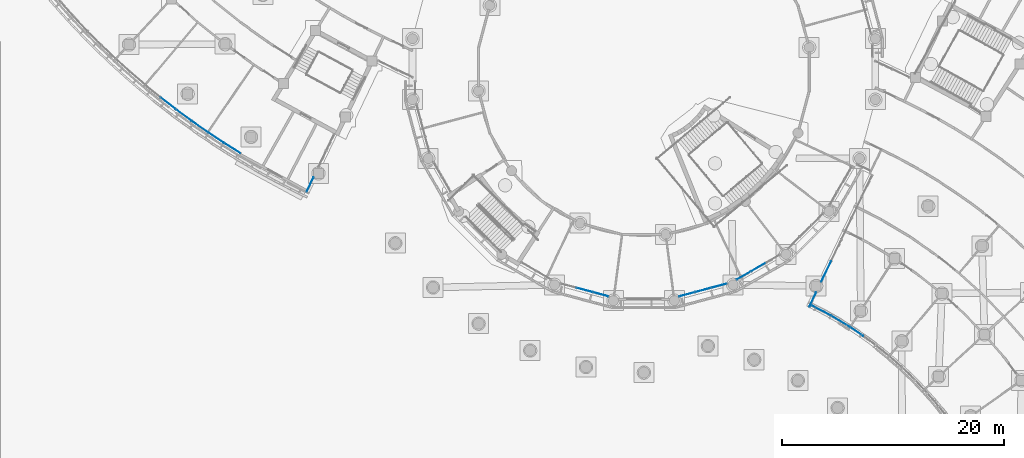
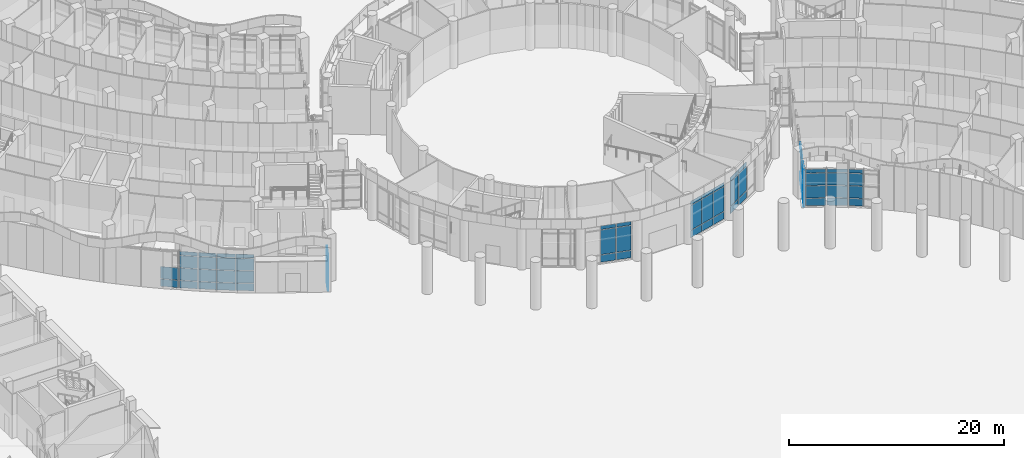
# One storey, part 40 of 146: 63 plates, 10 elements without a shape of their own.
"""IFC4 building model written with IfcOpenShell, lengths in metres."""

from ifc_helpers import new_model, si_unit, direction, frame, origin, origin_2d, place, context, subcontext, project, spatial, rectangle, extrude, material, layer, layer_set, type_object, element, aggregate, save


model = new_model("IFC4")

# Units and contexts
model_context = context("Model", 3, precision=1e-05, world=origin(), true_north=direction((0.0, 1.0)))
body_context = subcontext(model_context, "Body", "Model", "MODEL_VIEW")
ifc_project = project(units=[si_unit("LENGTHUNIT", "METRE"), si_unit("AREAUNIT", "SQUARE_METRE"), si_unit("VOLUMEUNIT", "CUBIC_METRE"), si_unit("PLANEANGLEUNIT", "RADIAN"), si_unit("MASSUNIT", "GRAM", prefix="KILO")], contexts=[model_context])

# Site, building, storey
site_placement = place(None, origin())
site = spatial("IfcSite", under=ifc_project, at=site_placement, CompositionType="ELEMENT")
building_placement = place(site_placement, origin())
building = spatial("IfcBuilding", under=site, at=building_placement, Name="Bougainvillea Quay General Hospital", CompositionType="ELEMENT")
storey_placement = place(building_placement, origin())
storey = spatial("IfcBuildingStorey", under=building, at=storey_placement, Name="L00", CompositionType="ELEMENT", Elevation=0.0)

# Curtain wall, plates
ifc_material_1 = material(Name="Aluminium curtain wall system, powder-coated glazed", Category="aluminium")
curtain_wall_type_1 = type_object("IfcCurtainWallType", Name="Unitised curtain wall CW-2100", PredefinedType="NOTDEFINED", material=ifc_material_1)
curtain_wall_1_placement = place(storey_placement, origin())
curtain_wall_1 = element("IfcCurtainWall", 1, at=curtain_wall_1_placement, inside=storey, type_object=curtain_wall_type_1, Name="CW-W02 a01b1", PredefinedType="NOTDEFINED")
ifc_material_2 = material(Name="Insulated aluminium spandrel panel, white", Category="aluminium")
ifc_layer_1 = layer(ifc_material_2, 0.028076171875)
ifc_layer_set_1 = layer_set([ifc_layer_1], Name="Insulated aluminium spandrel panel, white")
plate_type_1 = type_object("IfcPlateType", Name="Insulated spandrel panel white 28", PredefinedType="CURTAIN_PANEL", material=ifc_layer_set_1)
plate_1_placement = place(storey_placement, frame((72.188720703125, 66.88623046875, 0.06005859375), z_axis=(0.0, 0.0, 1.0), x_axis=(-0.847691824545, 0.530488991968, 0.0)))
plate_1 = element("IfcPlate", 2, at=plate_1_placement, type_object=plate_type_1, Name="CW-W02 spandrel panel 1.1", PredefinedType="CURTAIN_PANEL", context=body_context, shape_type="SweptSolid", body=[
    extrude(rectangle(XDim=1.6787109375, YDim=0.028076171875, at=origin_2d()), origin(), (0.0, 0.0, 1.0), 0.81005859375),
])
plate_2_placement = place(storey_placement, frame((72.188720703125, 66.88623046875, 3.7802734375), z_axis=(0.0, 0.0, 1.0), x_axis=(-0.847691824545, 0.530488991968, 0.0)))
plate_2 = element("IfcPlate", 3, at=plate_2_placement, type_object=plate_type_1, Name="CW-W02 spandrel panel 1.4", PredefinedType="CURTAIN_PANEL", context=body_context, shape_type="SweptSolid", body=[
    extrude(rectangle(XDim=1.6787109375, YDim=0.028076171875, at=origin_2d()), origin(), (0.0, 0.0, 1.0), 0.409912109375),
])
plate_3_placement = place(storey_placement, frame((70.714111328125, 67.83544921875, 0.06005859375), z_axis=(0.0, 0.0, 1.0), x_axis=(-0.833967694391, 0.551813269787, 0.0)))
plate_3 = element("IfcPlate", 4, at=plate_3_placement, type_object=plate_type_1, Name="CW-W02 spandrel panel 2.1", PredefinedType="CURTAIN_PANEL", context=body_context, shape_type="SweptSolid", body=[
    extrude(rectangle(XDim=1.708740234375, YDim=0.028076171875, at=origin_2d()), origin(), (0.0, 0.0, 1.0), 0.81005859375),
])
plate_4_placement = place(storey_placement, frame((70.714111328125, 67.83544921875, 3.7802734375), z_axis=(0.0, 0.0, 1.0), x_axis=(-0.833967694391, 0.551813269787, 0.0)))
plate_4 = element("IfcPlate", 5, at=plate_4_placement, type_object=plate_type_1, Name="CW-W02 spandrel panel 2.4", PredefinedType="CURTAIN_PANEL", context=body_context, shape_type="SweptSolid", body=[
    extrude(rectangle(XDim=1.708740234375, YDim=0.028076171875, at=origin_2d()), origin(), (0.0, 0.0, 1.0), 0.409912109375),
])
plate_5_placement = place(storey_placement, frame((69.251708984375, 68.830078125, 0.06005859375), z_axis=(0.0, 0.0, 1.0), x_axis=(-0.819707259149, 0.572782689419, 0.0)))
plate_5 = element("IfcPlate", 6, at=plate_5_placement, type_object=plate_type_1, Name="CW-W02 spandrel panel 3.1", PredefinedType="CURTAIN_PANEL", context=body_context, shape_type="SweptSolid", body=[
    extrude(rectangle(XDim=1.708740234375, YDim=0.028076171875, at=origin_2d()), origin(), (0.0, 0.0, 1.0), 0.81005859375),
])
plate_6_placement = place(storey_placement, frame((69.251708984375, 68.830078125, 3.7802734375), z_axis=(0.0, 0.0, 1.0), x_axis=(-0.819707259149, 0.572782689419, 0.0)))
plate_6 = element("IfcPlate", 7, at=plate_6_placement, type_object=plate_type_1, Name="CW-W02 spandrel panel 3.4", PredefinedType="CURTAIN_PANEL", context=body_context, shape_type="SweptSolid", body=[
    extrude(rectangle(XDim=1.708740234375, YDim=0.028076171875, at=origin_2d()), origin(), (0.0, 0.0, 1.0), 0.409912109375),
])
plate_7_placement = place(storey_placement, frame((67.826904296875, 69.8525390625, 0.06005859375), z_axis=(0.0, 0.0, 1.0), x_axis=(-0.804919689373, 0.593383765922, 0.0)))
plate_7 = element("IfcPlate", 8, at=plate_7_placement, type_object=plate_type_1, Name="CW-W02 spandrel panel 4.1", PredefinedType="CURTAIN_PANEL", context=body_context, shape_type="SweptSolid", body=[
    extrude(rectangle(XDim=1.6787109375, YDim=0.028076171875, at=origin_2d()), origin(), (0.0, 0.0, 1.0), 0.81005859375),
])
plate_8_placement = place(storey_placement, frame((67.826904296875, 69.8525390625, 3.7802734375), z_axis=(0.0, 0.0, 1.0), x_axis=(-0.804919689373, 0.593383765922, 0.0)))
plate_8 = element("IfcPlate", 9, at=plate_8_placement, type_object=plate_type_1, Name="CW-W02 spandrel panel 4.4", PredefinedType="CURTAIN_PANEL", context=body_context, shape_type="SweptSolid", body=[
    extrude(rectangle(XDim=1.6787109375, YDim=0.028076171875, at=origin_2d()), origin(), (0.0, 0.0, 1.0), 0.409912109375),
])

# Curtain wall, plate
curtain_wall_2_placement = place(storey_placement, origin())
curtain_wall_2 = element("IfcCurtainWall", 10, at=curtain_wall_2_placement, inside=storey, type_object=curtain_wall_type_1, Name="CW-W03 a01b2", PredefinedType="NOTDEFINED")
plate_9_placement = place(storey_placement, frame((66.392822265625, 70.93798828125, 0.06005859375), z_axis=(0.0, 0.0, 1.0), x_axis=(-0.789614494602, 0.613603251226, 0.0)))
plate_9 = element("IfcPlate", 11, at=plate_9_placement, type_object=plate_type_1, Name="CW-W03 spandrel panel 1.1", PredefinedType="CURTAIN_PANEL", context=body_context, shape_type="SweptSolid", body=[
    extrude(rectangle(XDim=1.6787109375, YDim=0.028076171875, at=origin_2d()), origin(), (0.0, 0.0, 1.0), 0.81005859375),
])

# Curtain wall, plates
curtain_wall_type_2 = type_object("IfcCurtainWallType", Name="Unitised curtain wall CW-1530", PredefinedType="NOTDEFINED", material=ifc_material_1)
curtain_wall_3_placement = place(storey_placement, origin())
curtain_wall_3 = element("IfcCurtainWall", 12, at=curtain_wall_3_placement, inside=storey, type_object=curtain_wall_type_2, Name="CW-AE 00", PredefinedType="NOTDEFINED")
plate_10_placement = place(storey_placement, frame((79.167724609375, 63.616943359375, 0.06005859375), z_axis=(0.0, 0.0, 1.0), x_axis=(0.430530445105, 0.902576055431, 0.0)))
plate_10 = element("IfcPlate", 13, at=plate_10_placement, type_object=plate_type_1, Name="CW-AE spandrel panel 1.1", PredefinedType="CURTAIN_PANEL", context=body_context, shape_type="SweptSolid", body=[
    extrude(rectangle(XDim=1.409912109375, YDim=0.028076171875, at=origin_2d()), origin(), (0.0, 0.0, 1.0), 0.81005859375),
])
plate_11_placement = place(storey_placement, frame((79.167724609375, 63.616943359375, 3.7802734375), z_axis=(0.0, 0.0, 1.0), x_axis=(0.430530445105, 0.902576055431, 0.0)))
plate_11 = element("IfcPlate", 14, at=plate_11_placement, type_object=plate_type_1, Name="CW-AE spandrel panel 1.4", PredefinedType="CURTAIN_PANEL", context=body_context, shape_type="SweptSolid", body=[
    extrude(rectangle(XDim=1.409912109375, YDim=0.028076171875, at=origin_2d()), origin(), (0.0, 0.0, 1.0), 0.409912109375),
])

curtain_wall_type_3 = type_object("IfcCurtainWallType", Name="Unitised curtain wall CW-2147", PredefinedType="NOTDEFINED", material=ifc_material_1)
curtain_wall_4_placement = place(storey_placement, origin())
curtain_wall_4 = element("IfcCurtainWall", 15, at=curtain_wall_4_placement, inside=storey, type_object=curtain_wall_type_3, Name="CW-AE 00", PredefinedType="NOTDEFINED")
plate_12_placement = place(storey_placement, frame((125.594482421875, 55.79150390625, 0.06005859375), z_axis=(0.0, 0.0, 1.0), x_axis=(-0.430530445105, -0.902576055431, 0.0)))
plate_12 = element("IfcPlate", 16, at=plate_12_placement, type_object=plate_type_1, Name="CW-AE spandrel panel 5.1", PredefinedType="CURTAIN_PANEL", context=body_context, shape_type="SweptSolid", body=[
    extrude(rectangle(XDim=2.05615234375, YDim=0.028076171875, at=origin_2d()), origin(), (0.0, 0.0, 1.0), 0.81005859375),
])
plate_13_placement = place(storey_placement, frame((125.594482421875, 55.79150390625, 3.7802734375), z_axis=(0.0, 0.0, 1.0), x_axis=(-0.430530445105, -0.902576055431, 0.0)))
plate_13 = element("IfcPlate", 17, at=plate_13_placement, type_object=plate_type_1, Name="CW-AE spandrel panel 5.4", PredefinedType="CURTAIN_PANEL", context=body_context, shape_type="SweptSolid", body=[
    extrude(rectangle(XDim=2.05615234375, YDim=0.028076171875, at=origin_2d()), origin(), (0.0, 0.0, 1.0), 0.409912109375),
])

curtain_wall_5_placement = place(storey_placement, origin())
curtain_wall_5 = element("IfcCurtainWall", 18, at=curtain_wall_5_placement, inside=storey, type_object=curtain_wall_type_2, Name="CW-AE 01", PredefinedType="NOTDEFINED")
plate_14_placement = place(storey_placement, frame((124.391845703125, 53.270751953125, 0.06005859375), z_axis=(0.0, 0.0, 1.0), x_axis=(-0.430530445105, -0.902576055431, 0.0)))
plate_14 = element("IfcPlate", 19, at=plate_14_placement, type_object=plate_type_1, Name="CW-AE spandrel panel 1.1", PredefinedType="CURTAIN_PANEL", context=body_context, shape_type="SweptSolid", body=[
    extrude(rectangle(XDim=1.409912109375, YDim=0.028076171875, at=origin_2d()), origin(), (0.0, 0.0, 1.0), 0.81005859375),
])
plate_15_placement = place(storey_placement, frame((124.391845703125, 53.270751953125, 3.7802734375), z_axis=(0.0, 0.0, 1.0), x_axis=(-0.430530445105, -0.902576055431, 0.0)))
plate_15 = element("IfcPlate", 20, at=plate_15_placement, type_object=plate_type_1, Name="CW-AE spandrel panel 1.4", PredefinedType="CURTAIN_PANEL", context=body_context, shape_type="SweptSolid", body=[
    extrude(rectangle(XDim=1.409912109375, YDim=0.028076171875, at=origin_2d()), origin(), (0.0, 0.0, 1.0), 0.409912109375),
])

curtain_wall_6_placement = place(storey_placement, origin())
curtain_wall_6 = element("IfcCurtainWall", 21, at=curtain_wall_6_placement, inside=storey, type_object=curtain_wall_type_1, Name="CW-E01 a21b0", PredefinedType="NOTDEFINED")
plate_16_placement = place(storey_placement, frame((125.157470703125, 52.28857421875, 0.06005859375), z_axis=(0.0, 0.0, 1.0), x_axis=(0.884928841116, -0.46572625668, 0.0)))
plate_16 = element("IfcPlate", 22, at=plate_16_placement, type_object=plate_type_1, Name="CW-E01 spandrel panel 1.1", PredefinedType="CURTAIN_PANEL", context=body_context, shape_type="SweptSolid", body=[
    extrude(rectangle(XDim=1.924072265625, YDim=0.028076171875, at=origin_2d()), origin(), (0.0, 0.0, 1.0), 0.81005859375),
])
plate_17_placement = place(storey_placement, frame((125.157470703125, 52.28857421875, 3.7802734375), z_axis=(0.0, 0.0, 1.0), x_axis=(0.884928841116, -0.46572625668, 0.0)))
plate_17 = element("IfcPlate", 23, at=plate_17_placement, type_object=plate_type_1, Name="CW-E01 spandrel panel 1.4", PredefinedType="CURTAIN_PANEL", context=body_context, shape_type="SweptSolid", body=[
    extrude(rectangle(XDim=1.924072265625, YDim=0.028076171875, at=origin_2d()), origin(), (0.0, 0.0, 1.0), 0.409912109375),
])
plate_18_placement = place(storey_placement, frame((126.884521484375, 51.313720703125, 0.06005859375), z_axis=(0.0, 0.0, 1.0), x_axis=(0.856022874409, -0.516937944525, 0.0)))
plate_18 = element("IfcPlate", 24, at=plate_18_placement, type_object=plate_type_1, Name="CW-E01 spandrel panel 2.1", PredefinedType="CURTAIN_PANEL", context=body_context, shape_type="SweptSolid", body=[
    extrude(rectangle(XDim=1.924072265625, YDim=0.028076171875, at=origin_2d()), origin(), (0.0, 0.0, 1.0), 0.81005859375),
])
plate_19_placement = place(storey_placement, frame((126.884521484375, 51.313720703125, 3.7802734375), z_axis=(0.0, 0.0, 1.0), x_axis=(0.856022874409, -0.516937944525, 0.0)))
plate_19 = element("IfcPlate", 25, at=plate_19_placement, type_object=plate_type_1, Name="CW-E01 spandrel panel 2.4", PredefinedType="CURTAIN_PANEL", context=body_context, shape_type="SweptSolid", body=[
    extrude(rectangle(XDim=1.924072265625, YDim=0.028076171875, at=origin_2d()), origin(), (0.0, 0.0, 1.0), 0.409912109375),
])

curtain_wall_7_placement = place(storey_placement, origin())
curtain_wall_7 = element("IfcCurtainWall", 26, at=curtain_wall_7_placement, inside=storey, type_object=curtain_wall_type_1, Name="CW-E02 a21b1", PredefinedType="NOTDEFINED")
plate_20_placement = place(storey_placement, frame((128.37548828125, 50.369384765625, 0.06005859375), z_axis=(0.0, 0.0, 1.0), x_axis=(0.828738154592, -0.559636552705, 0.0)))
plate_20 = element("IfcPlate", 27, at=plate_20_placement, type_object=plate_type_1, Name="CW-E02 spandrel panel 1.1", PredefinedType="CURTAIN_PANEL", context=body_context, shape_type="SweptSolid", body=[
    extrude(rectangle(XDim=1.366943359375, YDim=0.028076171875, at=origin_2d()), origin(), (0.0, 0.0, 1.0), 0.81005859375),
])
plate_21_placement = place(storey_placement, frame((128.37548828125, 50.369384765625, 3.7802734375), z_axis=(0.0, 0.0, 1.0), x_axis=(0.828738154592, -0.559636552705, 0.0)))
plate_21 = element("IfcPlate", 28, at=plate_21_placement, type_object=plate_type_1, Name="CW-E02 spandrel panel 1.4", PredefinedType="CURTAIN_PANEL", context=body_context, shape_type="SweptSolid", body=[
    extrude(rectangle(XDim=1.366943359375, YDim=0.028076171875, at=origin_2d()), origin(), (0.0, 0.0, 1.0), 0.409912109375),
])

curtain_wall_type_4 = type_object("IfcCurtainWallType", Name="Unitised curtain wall CW-1514", PredefinedType="NOTDEFINED", material=ifc_material_1)
curtain_wall_8_placement = place(storey_placement, origin())
curtain_wall_8 = element("IfcCurtainWall", 29, at=curtain_wall_8_placement, inside=storey, type_object=curtain_wall_type_4, Name="CW-D 00", PredefinedType="NOTDEFINED")
plate_22_placement = place(storey_placement, frame((103.876220703125, 54.130859375, 0.06005859375), z_axis=(0.0, 0.0, 1.0), x_axis=(0.965916292974, -0.258854621298, 0.0)))
plate_22 = element("IfcPlate", 30, at=plate_22_placement, type_object=plate_type_1, Name="CW-D spandrel panel 2.1", PredefinedType="CURTAIN_PANEL", context=body_context, shape_type="SweptSolid", body=[
    extrude(rectangle(XDim=1.453857421875, YDim=0.028076171875, at=origin_2d()), origin(), (0.0, 0.0, 1.0), 0.81005859375),
])
plate_23_placement = place(storey_placement, frame((103.876220703125, 54.130859375, 3.7802734375), z_axis=(0.0, 0.0, 1.0), x_axis=(0.965916292974, -0.258854621298, 0.0)))
plate_23 = element("IfcPlate", 31, at=plate_23_placement, type_object=plate_type_1, Name="CW-D spandrel panel 2.3", PredefinedType="CURTAIN_PANEL", context=body_context, shape_type="SweptSolid", body=[
    extrude(rectangle(XDim=1.453857421875, YDim=0.028076171875, at=origin_2d()), origin(), (0.0, 0.0, 1.0), 0.409912109375),
])
plate_24_placement = place(storey_placement, frame((105.323974609375, 53.742919921875, 0.06005859375), z_axis=(0.0, 0.0, 1.0), x_axis=(0.965916292974, -0.258854621298, 0.0)))
plate_24 = element("IfcPlate", 32, at=plate_24_placement, type_object=plate_type_1, Name="CW-D spandrel panel 3.1", PredefinedType="CURTAIN_PANEL", context=body_context, shape_type="SweptSolid", body=[
    extrude(rectangle(XDim=1.423828125, YDim=0.028076171875, at=origin_2d()), origin(), (0.0, 0.0, 1.0), 0.81005859375),
])
plate_25_placement = place(storey_placement, frame((105.323974609375, 53.742919921875, 3.7802734375), z_axis=(0.0, 0.0, 1.0), x_axis=(0.965916292974, -0.258854621298, 0.0)))
plate_25 = element("IfcPlate", 33, at=plate_25_placement, type_object=plate_type_1, Name="CW-D spandrel panel 3.3", PredefinedType="CURTAIN_PANEL", context=body_context, shape_type="SweptSolid", body=[
    extrude(rectangle(XDim=1.423828125, YDim=0.028076171875, at=origin_2d()), origin(), (0.0, 0.0, 1.0), 0.409912109375),
])

curtain_wall_9_placement = place(storey_placement, origin())
curtain_wall_9 = element("IfcCurtainWall", 34, at=curtain_wall_9_placement, inside=storey, type_object=curtain_wall_type_4, Name="CW-D 00", PredefinedType="NOTDEFINED")
plate_26_placement = place(storey_placement, frame((113.075927734375, 53.742919921875, 0.06005859375), z_axis=(0.0, 0.0, 1.0), x_axis=(0.965916292974, 0.258854621298, 0.0)))
plate_26 = element("IfcPlate", 35, at=plate_26_placement, type_object=plate_type_1, Name="CW-D spandrel panel 1.1", PredefinedType="CURTAIN_PANEL", context=body_context, shape_type="SweptSolid", body=[
    extrude(rectangle(XDim=1.423828125, YDim=0.028076171875, at=origin_2d()), origin(), (0.0, 0.0, 1.0), 0.81005859375),
])
plate_27_placement = place(storey_placement, frame((113.075927734375, 53.742919921875, 3.7802734375), z_axis=(0.0, 0.0, 1.0), x_axis=(0.965916292974, 0.258854621298, 0.0)))
plate_27 = element("IfcPlate", 36, at=plate_27_placement, type_object=plate_type_1, Name="CW-D spandrel panel 1.3", PredefinedType="CURTAIN_PANEL", context=body_context, shape_type="SweptSolid", body=[
    extrude(rectangle(XDim=1.423828125, YDim=0.028076171875, at=origin_2d()), origin(), (0.0, 0.0, 1.0), 0.409912109375),
])
plate_28_placement = place(storey_placement, frame((114.523681640625, 54.130859375, 0.06005859375), z_axis=(0.0, 0.0, 1.0), x_axis=(0.965916292974, 0.258854621298, 0.0)))
plate_28 = element("IfcPlate", 37, at=plate_28_placement, type_object=plate_type_1, Name="CW-D spandrel panel 2.1", PredefinedType="CURTAIN_PANEL", context=body_context, shape_type="SweptSolid", body=[
    extrude(rectangle(XDim=1.453857421875, YDim=0.028076171875, at=origin_2d()), origin(), (0.0, 0.0, 1.0), 0.81005859375),
])
plate_29_placement = place(storey_placement, frame((114.523681640625, 54.130859375, 3.7802734375), z_axis=(0.0, 0.0, 1.0), x_axis=(0.965916292974, 0.258854621298, 0.0)))
plate_29 = element("IfcPlate", 38, at=plate_29_placement, type_object=plate_type_1, Name="CW-D spandrel panel 2.3", PredefinedType="CURTAIN_PANEL", context=body_context, shape_type="SweptSolid", body=[
    extrude(rectangle(XDim=1.453857421875, YDim=0.028076171875, at=origin_2d()), origin(), (0.0, 0.0, 1.0), 0.409912109375),
])
plate_30_placement = place(storey_placement, frame((115.9716796875, 54.51904296875, 0.06005859375), z_axis=(0.0, 0.0, 1.0), x_axis=(0.965916292974, 0.258854621298, 0.0)))
plate_30 = element("IfcPlate", 39, at=plate_30_placement, type_object=plate_type_1, Name="CW-D spandrel panel 3.1", PredefinedType="CURTAIN_PANEL", context=body_context, shape_type="SweptSolid", body=[
    extrude(rectangle(XDim=1.423828125, YDim=0.028076171875, at=origin_2d()), origin(), (0.0, 0.0, 1.0), 0.81005859375),
])
plate_31_placement = place(storey_placement, frame((115.9716796875, 54.51904296875, 3.7802734375), z_axis=(0.0, 0.0, 1.0), x_axis=(0.965916292974, 0.258854621298, 0.0)))
plate_31 = element("IfcPlate", 40, at=plate_31_placement, type_object=plate_type_1, Name="CW-D spandrel panel 3.3", PredefinedType="CURTAIN_PANEL", context=body_context, shape_type="SweptSolid", body=[
    extrude(rectangle(XDim=1.423828125, YDim=0.028076171875, at=origin_2d()), origin(), (0.0, 0.0, 1.0), 0.409912109375),
])

curtain_wall_type_5 = type_object("IfcCurtainWallType", Name="Unitised curtain wall CW-1515", PredefinedType="NOTDEFINED", material=ifc_material_1)
curtain_wall_10_placement = place(storey_placement, origin())
curtain_wall_10 = element("IfcCurtainWall", 41, at=curtain_wall_10_placement, inside=storey, type_object=curtain_wall_type_5, Name="CW-D 00", PredefinedType="NOTDEFINED")
plate_32_placement = place(storey_placement, frame((118.186767578125, 55.4365234375, 0.06005859375), z_axis=(0.0, 0.0, 1.0), x_axis=(0.866045865692, 0.499964557262, 0.0)))
plate_32 = element("IfcPlate", 42, at=plate_32_placement, type_object=plate_type_1, Name="CW-D spandrel panel 1.1", PredefinedType="CURTAIN_PANEL", context=body_context, shape_type="SweptSolid", body=[
    extrude(rectangle(XDim=1.424072265625, YDim=0.028076171875, at=origin_2d()), origin(), (0.0, 0.0, 1.0), 0.81005859375),
])
plate_33_placement = place(storey_placement, frame((118.186767578125, 55.4365234375, 3.7802734375), z_axis=(0.0, 0.0, 1.0), x_axis=(0.866045865692, 0.499964557262, 0.0)))
plate_33 = element("IfcPlate", 43, at=plate_33_placement, type_object=plate_type_1, Name="CW-D spandrel panel 1.3", PredefinedType="CURTAIN_PANEL", context=body_context, shape_type="SweptSolid", body=[
    extrude(rectangle(XDim=1.424072265625, YDim=0.028076171875, at=origin_2d()), origin(), (0.0, 0.0, 1.0), 0.409912109375),
])
plate_34_placement = place(storey_placement, frame((119.485107421875, 56.18603515625, 0.06005859375), z_axis=(0.0, 0.0, 1.0), x_axis=(0.866045865692, 0.499964557262, 0.0)))
plate_34 = element("IfcPlate", 44, at=plate_34_placement, type_object=plate_type_1, Name="CW-D spandrel panel 2.1", PredefinedType="CURTAIN_PANEL", context=body_context, shape_type="SweptSolid", body=[
    extrude(rectangle(XDim=1.4541015625, YDim=0.028076171875, at=origin_2d()), origin(), (0.0, 0.0, 1.0), 0.81005859375),
])
plate_35_placement = place(storey_placement, frame((119.485107421875, 56.18603515625, 3.7802734375), z_axis=(0.0, 0.0, 1.0), x_axis=(0.866045865692, 0.499964557262, 0.0)))
plate_35 = element("IfcPlate", 45, at=plate_35_placement, type_object=plate_type_1, Name="CW-D spandrel panel 2.3", PredefinedType="CURTAIN_PANEL", context=body_context, shape_type="SweptSolid", body=[
    extrude(rectangle(XDim=1.4541015625, YDim=0.028076171875, at=origin_2d()), origin(), (0.0, 0.0, 1.0), 0.409912109375),
])

# Plate
ifc_material_3 = material(Name="Low-e laminated glass, solar control", Category="glass")
ifc_layer_2 = layer(ifc_material_3, 0.028076171875)
ifc_layer_set_2 = layer_set([ifc_layer_2], Name="Low-e laminated glass, solar control")
plate_type_2 = type_object("IfcPlateType", Name="Low-e laminated vision glass 28", PredefinedType="CURTAIN_PANEL", material=ifc_layer_set_2)
plate_36_placement = place(storey_placement, frame((72.188720703125, 66.88623046875, 0.93017578125), z_axis=(0.0, 0.0, 1.0), x_axis=(-0.847691824545, 0.530488991968, 0.0)))
plate_36 = element("IfcPlate", 46, at=plate_36_placement, type_object=plate_type_2, Name="CW-W02 vision glass panel 1.2", PredefinedType="CURTAIN_PANEL", context=body_context, shape_type="SweptSolid", body=[
    extrude(rectangle(XDim=1.6787109375, YDim=0.028076171875, at=origin_2d()), origin(), (0.0, 0.0, 1.0), 1.364990234375),
])

plate_37_placement = place(storey_placement, frame((72.188720703125, 66.88623046875, 2.35498046875), z_axis=(0.0, 0.0, 1.0), x_axis=(-0.847691824545, 0.530488991968, 0.0)))
plate_37 = element("IfcPlate", 47, at=plate_37_placement, type_object=plate_type_2, Name="CW-W02 vision glass panel 1.3", PredefinedType="CURTAIN_PANEL", context=body_context, shape_type="SweptSolid", body=[
    extrude(rectangle(XDim=1.6787109375, YDim=0.028076171875, at=origin_2d()), origin(), (0.0, 0.0, 1.0), 1.364990234375),
])

plate_38_placement = place(storey_placement, frame((70.714111328125, 67.83544921875, 0.93017578125), z_axis=(0.0, 0.0, 1.0), x_axis=(-0.833967694391, 0.551813269787, 0.0)))
plate_38 = element("IfcPlate", 48, at=plate_38_placement, type_object=plate_type_2, Name="CW-W02 vision glass panel 2.2", PredefinedType="CURTAIN_PANEL", context=body_context, shape_type="SweptSolid", body=[
    extrude(rectangle(XDim=1.708740234375, YDim=0.028076171875, at=origin_2d()), origin(), (0.0, 0.0, 1.0), 1.364990234375),
])

plate_39_placement = place(storey_placement, frame((70.714111328125, 67.83544921875, 2.35498046875), z_axis=(0.0, 0.0, 1.0), x_axis=(-0.833967694391, 0.551813269787, 0.0)))
plate_39 = element("IfcPlate", 49, at=plate_39_placement, type_object=plate_type_2, Name="CW-W02 vision glass panel 2.3", PredefinedType="CURTAIN_PANEL", context=body_context, shape_type="SweptSolid", body=[
    extrude(rectangle(XDim=1.708740234375, YDim=0.028076171875, at=origin_2d()), origin(), (0.0, 0.0, 1.0), 1.364990234375),
])

plate_40_placement = place(storey_placement, frame((69.251708984375, 68.830078125, 0.93017578125), z_axis=(0.0, 0.0, 1.0), x_axis=(-0.819707259149, 0.572782689419, 0.0)))
plate_40 = element("IfcPlate", 50, at=plate_40_placement, type_object=plate_type_2, Name="CW-W02 vision glass panel 3.2", PredefinedType="CURTAIN_PANEL", context=body_context, shape_type="SweptSolid", body=[
    extrude(rectangle(XDim=1.708740234375, YDim=0.028076171875, at=origin_2d()), origin(), (0.0, 0.0, 1.0), 1.364990234375),
])

plate_41_placement = place(storey_placement, frame((69.251708984375, 68.830078125, 2.35498046875), z_axis=(0.0, 0.0, 1.0), x_axis=(-0.819707259149, 0.572782689419, 0.0)))
plate_41 = element("IfcPlate", 51, at=plate_41_placement, type_object=plate_type_2, Name="CW-W02 vision glass panel 3.3", PredefinedType="CURTAIN_PANEL", context=body_context, shape_type="SweptSolid", body=[
    extrude(rectangle(XDim=1.708740234375, YDim=0.028076171875, at=origin_2d()), origin(), (0.0, 0.0, 1.0), 1.364990234375),
])

plate_42_placement = place(storey_placement, frame((67.826904296875, 69.8525390625, 0.93017578125), z_axis=(0.0, 0.0, 1.0), x_axis=(-0.804919689373, 0.593383765922, 0.0)))
plate_42 = element("IfcPlate", 52, at=plate_42_placement, type_object=plate_type_2, Name="CW-W02 vision glass panel 4.2", PredefinedType="CURTAIN_PANEL", context=body_context, shape_type="SweptSolid", body=[
    extrude(rectangle(XDim=1.6787109375, YDim=0.028076171875, at=origin_2d()), origin(), (0.0, 0.0, 1.0), 1.364990234375),
])

plate_43_placement = place(storey_placement, frame((67.826904296875, 69.8525390625, 2.35498046875), z_axis=(0.0, 0.0, 1.0), x_axis=(-0.804919689373, 0.593383765922, 0.0)))
plate_43 = element("IfcPlate", 53, at=plate_43_placement, type_object=plate_type_2, Name="CW-W02 vision glass panel 4.3", PredefinedType="CURTAIN_PANEL", context=body_context, shape_type="SweptSolid", body=[
    extrude(rectangle(XDim=1.6787109375, YDim=0.028076171875, at=origin_2d()), origin(), (0.0, 0.0, 1.0), 1.364990234375),
])

aggregate(curtain_wall_1, [plate_1, plate_36, plate_37, plate_2, plate_3, plate_38, plate_39, plate_4, plate_5, plate_40, plate_41, plate_6, plate_7, plate_42, plate_43, plate_8])

plate_44_placement = place(storey_placement, frame((66.392822265625, 70.93798828125, 0.93017578125), z_axis=(0.0, 0.0, 1.0), x_axis=(-0.789614494602, 0.613603251226, 0.0)))
plate_44 = element("IfcPlate", 54, at=plate_44_placement, type_object=plate_type_2, Name="CW-W03 vision glass panel 1.2", PredefinedType="CURTAIN_PANEL", context=body_context, shape_type="SweptSolid", body=[
    extrude(rectangle(XDim=1.6787109375, YDim=0.028076171875, at=origin_2d()), origin(), (0.0, 0.0, 1.0), 1.364990234375),
])

aggregate(curtain_wall_2, [plate_9, plate_44])

plate_45_placement = place(storey_placement, frame((79.167724609375, 63.616943359375, 0.93017578125), z_axis=(0.0, 0.0, 1.0), x_axis=(0.430530445105, 0.902576055431, 0.0)))
plate_45 = element("IfcPlate", 55, at=plate_45_placement, type_object=plate_type_2, Name="CW-AE vision glass panel 1.2", PredefinedType="CURTAIN_PANEL", context=body_context, shape_type="SweptSolid", body=[
    extrude(rectangle(XDim=1.409912109375, YDim=0.028076171875, at=origin_2d()), origin(), (0.0, 0.0, 1.0), 1.364990234375),
])

plate_46_placement = place(storey_placement, frame((79.167724609375, 63.616943359375, 2.35498046875), z_axis=(0.0, 0.0, 1.0), x_axis=(0.430530445105, 0.902576055431, 0.0)))
plate_46 = element("IfcPlate", 56, at=plate_46_placement, type_object=plate_type_2, Name="CW-AE vision glass panel 1.3", PredefinedType="CURTAIN_PANEL", context=body_context, shape_type="SweptSolid", body=[
    extrude(rectangle(XDim=1.409912109375, YDim=0.028076171875, at=origin_2d()), origin(), (0.0, 0.0, 1.0), 1.364990234375),
])

aggregate(curtain_wall_3, [plate_10, plate_45, plate_46, plate_11])

plate_47_placement = place(storey_placement, frame((125.594482421875, 55.79150390625, 0.93017578125), z_axis=(0.0, 0.0, 1.0), x_axis=(-0.430530445105, -0.902576055431, 0.0)))
plate_47 = element("IfcPlate", 57, at=plate_47_placement, type_object=plate_type_2, Name="CW-AE vision glass panel 5.2", PredefinedType="CURTAIN_PANEL", context=body_context, shape_type="SweptSolid", body=[
    extrude(rectangle(XDim=2.05615234375, YDim=0.028076171875, at=origin_2d()), origin(), (0.0, 0.0, 1.0), 1.364990234375),
])

plate_48_placement = place(storey_placement, frame((125.594482421875, 55.79150390625, 2.35498046875), z_axis=(0.0, 0.0, 1.0), x_axis=(-0.430530445105, -0.902576055431, 0.0)))
plate_48 = element("IfcPlate", 58, at=plate_48_placement, type_object=plate_type_2, Name="CW-AE vision glass panel 5.3", PredefinedType="CURTAIN_PANEL", context=body_context, shape_type="SweptSolid", body=[
    extrude(rectangle(XDim=2.05615234375, YDim=0.028076171875, at=origin_2d()), origin(), (0.0, 0.0, 1.0), 1.364990234375),
])

aggregate(curtain_wall_4, [plate_12, plate_47, plate_48, plate_13])

plate_49_placement = place(storey_placement, frame((124.391845703125, 53.270751953125, 0.93017578125), z_axis=(0.0, 0.0, 1.0), x_axis=(-0.430530445105, -0.902576055431, 0.0)))
plate_49 = element("IfcPlate", 59, at=plate_49_placement, type_object=plate_type_2, Name="CW-AE vision glass panel 1.2", PredefinedType="CURTAIN_PANEL", context=body_context, shape_type="SweptSolid", body=[
    extrude(rectangle(XDim=1.409912109375, YDim=0.028076171875, at=origin_2d()), origin(), (0.0, 0.0, 1.0), 1.364990234375),
])

plate_50_placement = place(storey_placement, frame((124.391845703125, 53.270751953125, 2.35498046875), z_axis=(0.0, 0.0, 1.0), x_axis=(-0.430530445105, -0.902576055431, 0.0)))
plate_50 = element("IfcPlate", 60, at=plate_50_placement, type_object=plate_type_2, Name="CW-AE vision glass panel 1.3", PredefinedType="CURTAIN_PANEL", context=body_context, shape_type="SweptSolid", body=[
    extrude(rectangle(XDim=1.409912109375, YDim=0.028076171875, at=origin_2d()), origin(), (0.0, 0.0, 1.0), 1.364990234375),
])

aggregate(curtain_wall_5, [plate_14, plate_49, plate_50, plate_15])

plate_51_placement = place(storey_placement, frame((125.157470703125, 52.28857421875, 0.93017578125), z_axis=(0.0, 0.0, 1.0), x_axis=(0.884928841116, -0.46572625668, 0.0)))
plate_51 = element("IfcPlate", 61, at=plate_51_placement, type_object=plate_type_2, Name="CW-E01 vision glass panel 1.2", PredefinedType="CURTAIN_PANEL", context=body_context, shape_type="SweptSolid", body=[
    extrude(rectangle(XDim=1.924072265625, YDim=0.028076171875, at=origin_2d()), origin(), (0.0, 0.0, 1.0), 1.364990234375),
])

plate_52_placement = place(storey_placement, frame((125.157470703125, 52.28857421875, 2.35498046875), z_axis=(0.0, 0.0, 1.0), x_axis=(0.884928841116, -0.46572625668, 0.0)))
plate_52 = element("IfcPlate", 62, at=plate_52_placement, type_object=plate_type_2, Name="CW-E01 vision glass panel 1.3", PredefinedType="CURTAIN_PANEL", context=body_context, shape_type="SweptSolid", body=[
    extrude(rectangle(XDim=1.924072265625, YDim=0.028076171875, at=origin_2d()), origin(), (0.0, 0.0, 1.0), 1.364990234375),
])

plate_53_placement = place(storey_placement, frame((126.884521484375, 51.313720703125, 0.93017578125), z_axis=(0.0, 0.0, 1.0), x_axis=(0.856022874409, -0.516937944525, 0.0)))
plate_53 = element("IfcPlate", 63, at=plate_53_placement, type_object=plate_type_2, Name="CW-E01 vision glass panel 2.2", PredefinedType="CURTAIN_PANEL", context=body_context, shape_type="SweptSolid", body=[
    extrude(rectangle(XDim=1.924072265625, YDim=0.028076171875, at=origin_2d()), origin(), (0.0, 0.0, 1.0), 1.364990234375),
])

plate_54_placement = place(storey_placement, frame((126.884521484375, 51.313720703125, 2.35498046875), z_axis=(0.0, 0.0, 1.0), x_axis=(0.856022874409, -0.516937944525, 0.0)))
plate_54 = element("IfcPlate", 64, at=plate_54_placement, type_object=plate_type_2, Name="CW-E01 vision glass panel 2.3", PredefinedType="CURTAIN_PANEL", context=body_context, shape_type="SweptSolid", body=[
    extrude(rectangle(XDim=1.924072265625, YDim=0.028076171875, at=origin_2d()), origin(), (0.0, 0.0, 1.0), 1.364990234375),
])

aggregate(curtain_wall_6, [plate_16, plate_51, plate_52, plate_17, plate_18, plate_53, plate_54, plate_19])

plate_55_placement = place(storey_placement, frame((128.37548828125, 50.369384765625, 0.93017578125), z_axis=(0.0, 0.0, 1.0), x_axis=(0.828738154592, -0.559636552705, 0.0)))
plate_55 = element("IfcPlate", 65, at=plate_55_placement, type_object=plate_type_2, Name="CW-E02 vision glass panel 1.2", PredefinedType="CURTAIN_PANEL", context=body_context, shape_type="SweptSolid", body=[
    extrude(rectangle(XDim=1.366943359375, YDim=0.028076171875, at=origin_2d()), origin(), (0.0, 0.0, 1.0), 1.364990234375),
])

plate_56_placement = place(storey_placement, frame((128.37548828125, 50.369384765625, 2.35498046875), z_axis=(0.0, 0.0, 1.0), x_axis=(0.828738154592, -0.559636552705, 0.0)))
plate_56 = element("IfcPlate", 66, at=plate_56_placement, type_object=plate_type_2, Name="CW-E02 vision glass panel 1.3", PredefinedType="CURTAIN_PANEL", context=body_context, shape_type="SweptSolid", body=[
    extrude(rectangle(XDim=1.366943359375, YDim=0.028076171875, at=origin_2d()), origin(), (0.0, 0.0, 1.0), 1.364990234375),
])

aggregate(curtain_wall_7, [plate_20, plate_55, plate_56, plate_21])

plate_57_placement = place(storey_placement, frame((103.876220703125, 54.130859375, 0.929931640625), z_axis=(0.0, 0.0, 1.0), x_axis=(0.965916292974, -0.258854621298, 0.0)))
plate_57 = element("IfcPlate", 67, at=plate_57_placement, type_object=plate_type_2, Name="CW-D vision glass panel 2.2", PredefinedType="CURTAIN_PANEL", context=body_context, shape_type="SweptSolid", body=[
    extrude(rectangle(XDim=1.453857421875, YDim=0.028076171875, at=origin_2d()), origin(), (0.0, 0.0, 1.0), 2.7900390625),
])

plate_58_placement = place(storey_placement, frame((105.323974609375, 53.742919921875, 0.929931640625), z_axis=(0.0, 0.0, 1.0), x_axis=(0.965916292974, -0.258854621298, 0.0)))
plate_58 = element("IfcPlate", 68, at=plate_58_placement, type_object=plate_type_2, Name="CW-D vision glass panel 3.2", PredefinedType="CURTAIN_PANEL", context=body_context, shape_type="SweptSolid", body=[
    extrude(rectangle(XDim=1.423828125, YDim=0.028076171875, at=origin_2d()), origin(), (0.0, 0.0, 1.0), 2.7900390625),
])

aggregate(curtain_wall_8, [plate_22, plate_57, plate_23, plate_24, plate_58, plate_25])

plate_59_placement = place(storey_placement, frame((113.075927734375, 53.742919921875, 0.929931640625), z_axis=(0.0, 0.0, 1.0), x_axis=(0.965916292974, 0.258854621298, 0.0)))
plate_59 = element("IfcPlate", 69, at=plate_59_placement, type_object=plate_type_2, Name="CW-D vision glass panel 1.2", PredefinedType="CURTAIN_PANEL", context=body_context, shape_type="SweptSolid", body=[
    extrude(rectangle(XDim=1.423828125, YDim=0.028076171875, at=origin_2d()), origin(), (0.0, 0.0, 1.0), 2.7900390625),
])

plate_60_placement = place(storey_placement, frame((114.523681640625, 54.130859375, 0.929931640625), z_axis=(0.0, 0.0, 1.0), x_axis=(0.965916292974, 0.258854621298, 0.0)))
plate_60 = element("IfcPlate", 70, at=plate_60_placement, type_object=plate_type_2, Name="CW-D vision glass panel 2.2", PredefinedType="CURTAIN_PANEL", context=body_context, shape_type="SweptSolid", body=[
    extrude(rectangle(XDim=1.453857421875, YDim=0.028076171875, at=origin_2d()), origin(), (0.0, 0.0, 1.0), 2.7900390625),
])

plate_61_placement = place(storey_placement, frame((115.9716796875, 54.51904296875, 0.929931640625), z_axis=(0.0, 0.0, 1.0), x_axis=(0.965916292974, 0.258854621298, 0.0)))
plate_61 = element("IfcPlate", 71, at=plate_61_placement, type_object=plate_type_2, Name="CW-D vision glass panel 3.2", PredefinedType="CURTAIN_PANEL", context=body_context, shape_type="SweptSolid", body=[
    extrude(rectangle(XDim=1.423828125, YDim=0.028076171875, at=origin_2d()), origin(), (0.0, 0.0, 1.0), 2.7900390625),
])

aggregate(curtain_wall_9, [plate_26, plate_59, plate_27, plate_28, plate_60, plate_29, plate_30, plate_61, plate_31])

plate_62_placement = place(storey_placement, frame((118.186767578125, 55.4365234375, 0.929931640625), z_axis=(0.0, 0.0, 1.0), x_axis=(0.866045865692, 0.499964557262, 0.0)))
plate_62 = element("IfcPlate", 72, at=plate_62_placement, type_object=plate_type_2, Name="CW-D vision glass panel 1.2", PredefinedType="CURTAIN_PANEL", context=body_context, shape_type="SweptSolid", body=[
    extrude(rectangle(XDim=1.424072265625, YDim=0.028076171875, at=origin_2d()), origin(), (0.0, 0.0, 1.0), 2.7900390625),
])

plate_63_placement = place(storey_placement, frame((119.485107421875, 56.18603515625, 0.929931640625), z_axis=(0.0, 0.0, 1.0), x_axis=(0.866045865692, 0.499964557262, 0.0)))
plate_63 = element("IfcPlate", 73, at=plate_63_placement, type_object=plate_type_2, Name="CW-D vision glass panel 2.2", PredefinedType="CURTAIN_PANEL", context=body_context, shape_type="SweptSolid", body=[
    extrude(rectangle(XDim=1.4541015625, YDim=0.028076171875, at=origin_2d()), origin(), (0.0, 0.0, 1.0), 2.7900390625),
])

aggregate(curtain_wall_10, [plate_32, plate_62, plate_33, plate_34, plate_63, plate_35])

save(model, "model.ifc")
